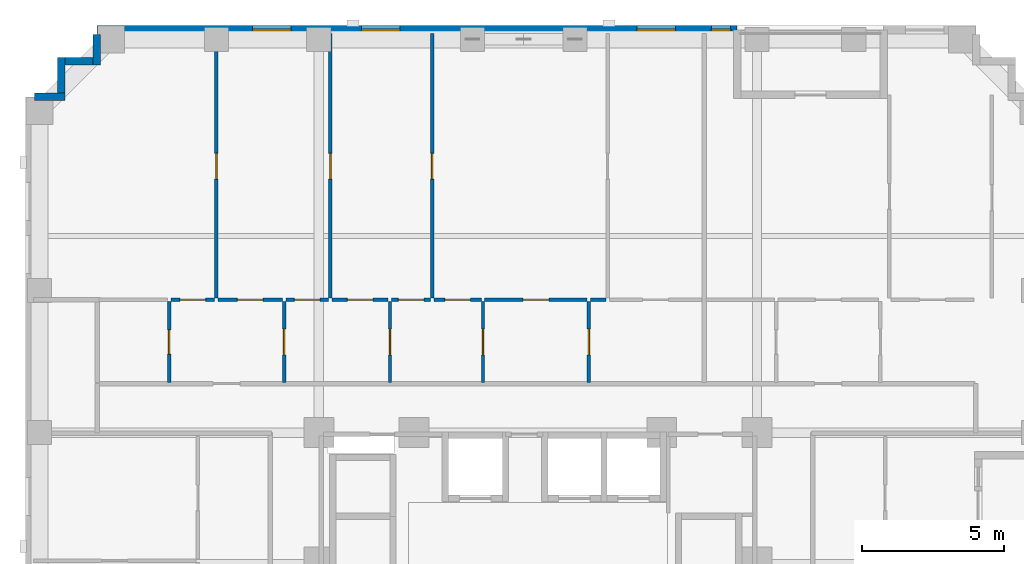
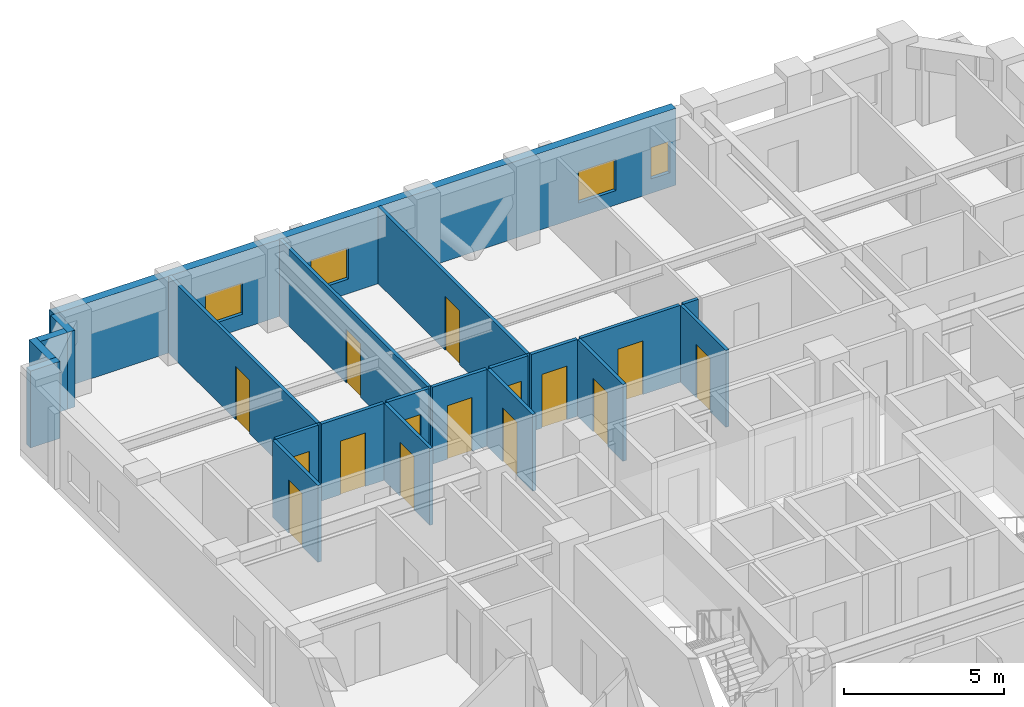
# One storey, part 7 of 12: 21 walls, 15 doors, 4 windows, 19 openings.
"""IFC4 building model written with IfcOpenShell, lengths in metres."""

from ifc_helpers import new_model, si_unit, derived_unit, direction, frame, frame_2d, origin, place, context, subcontext, project, spatial, rectangle, extrude, material, layer, layer_set, type_object, element, fill, save


model = new_model("IFC4")

# Units and contexts
model_context = context("Model", 3, precision=1e-05, world=origin(), true_north=direction((0.0, 1.0)))
body_context = subcontext(model_context, "Body", "Model", "MODEL_VIEW")
ifc_project = project(units=[si_unit("LENGTHUNIT", "METRE"), si_unit("AREAUNIT", "SQUARE_METRE"), si_unit("VOLUMEUNIT", "CUBIC_METRE"), si_unit("PLANEANGLEUNIT", "RADIAN"), si_unit("MASSUNIT", "GRAM", prefix="KILO"), derived_unit("THERMALTRANSMITTANCEUNIT", [(si_unit("MASSUNIT", "GRAM", prefix="KILO"), 1), (si_unit("TIMEUNIT", "SECOND"), -3), (si_unit("THERMODYNAMICTEMPERATUREUNIT", "KELVIN"), -1)])], contexts=[model_context])

# Site, building, storey
site_placement = place(None, origin())
site = spatial("IfcSite", under=ifc_project, at=site_placement, CompositionType="ELEMENT")
building_placement = place(site_placement, origin())
building = spatial("IfcBuilding", under=site, at=building_placement, Name="Korrvale Station Residences", CompositionType="ELEMENT")
storey_placement = place(building_placement, frame((0.0, 0.0, 84.699951171875)))
storey = spatial("IfcBuildingStorey", under=building, at=storey_placement, Name="L23", CompositionType="ELEMENT", Elevation=84.699951171875)

# Walls
ifc_material_1 = material(Name="Precast concrete C45/55", Category="concrete")
ifc_layer_1 = layer(ifc_material_1, 0.260009765625, Name="Precast concrete C45/55")
ifc_layer_set_1 = layer_set([ifc_layer_1], Name="Precast concrete C45/55")
wall_type_1 = type_object("IfcWallType", Name="WAL-EXT-LOG260", PredefinedType="SOLIDWALL", material=ifc_layer_set_1)
wall_1_placement = place(storey_placement, frame((7.802001953125, 40.800048828125, 0.0), z_axis=(0.0, 0.0, 1.0), x_axis=(1.0, 0.0, 0.0)))
element("IfcWall", 1, at=wall_1_placement, inside=storey, type_object=wall_type_1, Name="L23 Serrated Corner Precast Step NW-1", PredefinedType="SOLIDWALL", context=body_context, shape_type="SweptSolid", body=[
    extrude(rectangle(XDim=1.077880859375, YDim=0.260009765625, at=frame_2d((0.5390625, 0.0))), origin(), (0.0, 0.0, 1.0), 2.93994140625),
])
wall_2_placement = place(storey_placement, frame((8.75, 40.931884765625, 0.0), z_axis=(0.0, 0.0, 1.0), x_axis=(0.0, 1.0, 0.0)))
element("IfcWall", 2, at=wall_2_placement, inside=storey, type_object=wall_type_1, Name="L23 Serrated Corner Precast Step NW-2", PredefinedType="SOLIDWALL", context=body_context, shape_type="SweptSolid", body=[
    extrude(rectangle(XDim=1.248046875, YDim=0.260009765625, at=frame_2d((0.6240234375, 0.0))), origin(), (0.0, 0.0, 1.0), 2.93994140625),
])
wall_3_placement = place(storey_placement, frame((8.882080078125, 42.050048828125, 0.0), z_axis=(0.0, 0.0, 1.0), x_axis=(1.0, 0.0, 0.0)))
element("IfcWall", 3, at=wall_3_placement, inside=storey, type_object=wall_type_1, Name="L23 Serrated Corner Precast Step NW-3", PredefinedType="SOLIDWALL", context=body_context, shape_type="SweptSolid", body=[
    extrude(rectangle(XDim=0.98583984375, YDim=0.260009765625, at=frame_2d((0.492919921875, 0.0))), origin(), (0.0, 0.0, 1.0), 2.93994140625),
])
wall_4_placement = place(storey_placement, frame((10.0, 41.919921875, 0.0), z_axis=(0.0, 0.0, 1.0), x_axis=(0.0, 1.0, 0.0)))
element("IfcWall", 4, at=wall_4_placement, inside=storey, type_object=wall_type_1, Name="L23 Serrated Corner Precast Step NW-4", PredefinedType="SOLIDWALL", context=body_context, shape_type="SweptSolid", body=[
    extrude(rectangle(XDim=1.078125, YDim=0.260009765625, at=frame_2d((0.5390625, 0.0))), origin(), (0.0, 0.0, 1.0), 2.93994140625),
])

# Wall, openings, windows
ifc_layer_2 = layer(ifc_material_1, 0.300048828125, Name="Precast concrete C45/55")
ifc_layer_set_2 = layer_set([ifc_layer_2], Name="Precast concrete C45/55")
wall_type_2 = type_object("IfcWallType", Name="WAL-EXT-PC300", PredefinedType="SOLIDWALL", material=ifc_layer_set_2)
wall_5_placement = place(storey_placement, frame((10.0, 43.14990234375, 0.0), z_axis=(0.0, 0.0, 1.0), x_axis=(1.0, 0.0, 0.0)))
wall_5 = element("IfcWall", 5, at=wall_5_placement, inside=storey, type_object=wall_type_2, Name="L23 North Exterior Precast Wall 1", PredefinedType="SOLIDWALL", context=body_context, shape_type="SweptSolid", body=[
    extrude(rectangle(XDim=22.5, YDim=0.300048828125, at=frame_2d((11.25, 0.0))), origin(), (0.0, 0.0, 1.0), 2.93994140625),
])
opening_1_placement = place(wall_5_placement, frame((5.47509765625, 0.0, 0.550048828125)))
opening_1 = element("IfcOpeningElement", 6, at=opening_1_placement, cuts=wall_5, Name="Opening W-10", PredefinedType="OPENING", context=body_context, shape_type="SweptSolid", body=[
    extrude(rectangle(XDim=1.35009765625, YDim=1.199951171875, at=frame_2d((0.675048828125, 0.60009765625))), frame((0.0, 0.16015625, 0.0), z_axis=(0.0, -1.0, 0.0), x_axis=(1.0, 0.0, 0.0)), (0.0, 0.0, 1.0), 0.320068359375),
])
opening_2_placement = place(wall_5_placement, frame((9.300048828125, 0.0, 0.550048828125)))
opening_2 = element("IfcOpeningElement", 7, at=opening_2_placement, cuts=wall_5, Name="Opening W-10", PredefinedType="OPENING", context=body_context, shape_type="SweptSolid", body=[
    extrude(rectangle(XDim=1.35009765625, YDim=1.199951171875, at=frame_2d((0.675048828125, 0.60009765625))), frame((0.0, 0.16015625, 0.0), z_axis=(0.0, -1.0, 0.0), x_axis=(1.0, 0.0, 0.0)), (0.0, 0.0, 1.0), 0.320068359375),
])
opening_3_placement = place(wall_5_placement, frame((18.97509765625, 0.0, 0.550048828125)))
opening_3 = element("IfcOpeningElement", 8, at=opening_3_placement, cuts=wall_5, Name="Opening W-10", PredefinedType="OPENING", context=body_context, shape_type="SweptSolid", body=[
    extrude(rectangle(XDim=1.35009765625, YDim=1.199951171875, at=frame_2d((0.675048828125, 0.60009765625))), frame((0.0, 0.16015625, 0.0), z_axis=(0.0, -1.0, 0.0), x_axis=(1.0, 0.0, 0.0)), (0.0, 0.0, 1.0), 0.320068359375),
])
opening_4_placement = place(wall_5_placement, frame((21.590087890625, 0.0, 0.550048828125)))
opening_4 = element("IfcOpeningElement", 9, at=opening_4_placement, cuts=wall_5, Name="Opening W-12", PredefinedType="OPENING", context=body_context, shape_type="SweptSolid", body=[
    extrude(rectangle(XDim=0.679931640625, YDim=1.199951171875, at=frame_2d((0.33984375, 0.60009765625))), frame((0.0, 0.16015625, 0.0), z_axis=(0.0, -1.0, 0.0), x_axis=(1.0, 0.0, 0.0)), (0.0, 0.0, 1.0), 0.320068359375),
])
ifc_material_2 = material(Name="Thermally broken aluminium frame with triple low-e glazing", Category="aluminium")
window_type_1 = type_object("IfcWindowType", Name="WIN-W10", PartitioningType="SINGLE_PANEL", PredefinedType="WINDOW", material=ifc_material_2)
window_1_placement = place(opening_1_placement, origin())
window_1 = element("IfcWindow", 10, at=window_1_placement, inside=storey, type_object=window_type_1, Name="L23 Punched Window 14", OverallHeight=1.199951171875, OverallWidth=1.35009765625, PartitioningType="SINGLE_PANEL", PredefinedType="WINDOW", context=body_context, shape_type="SweptSolid", body=[
    extrude(rectangle(XDim=1.35009765625, YDim=1.199951171875, at=frame_2d((0.675048828125, 0.60009765625))), frame((0.0, 0.030029296875, 0.0), z_axis=(0.0, -1.0, 0.0), x_axis=(1.0, 0.0, 0.0)), (0.0, 0.0, 1.0), 0.06005859375),
])
fill(opening_1, window_1)
window_2_placement = place(opening_2_placement, origin())
window_2 = element("IfcWindow", 11, at=window_2_placement, inside=storey, type_object=window_type_1, Name="L23 Punched Window 15", OverallHeight=1.199951171875, OverallWidth=1.35009765625, PartitioningType="SINGLE_PANEL", PredefinedType="WINDOW", context=body_context, shape_type="SweptSolid", body=[
    extrude(rectangle(XDim=1.35009765625, YDim=1.199951171875, at=frame_2d((0.675048828125, 0.60009765625))), frame((0.0, 0.030029296875, 0.0), z_axis=(0.0, -1.0, 0.0), x_axis=(1.0, 0.0, 0.0)), (0.0, 0.0, 1.0), 0.06005859375),
])
fill(opening_2, window_2)
window_3_placement = place(opening_3_placement, origin())
window_3 = element("IfcWindow", 12, at=window_3_placement, inside=storey, type_object=window_type_1, Name="L23 Punched Window 16", OverallHeight=1.199951171875, OverallWidth=1.35009765625, PartitioningType="SINGLE_PANEL", PredefinedType="WINDOW", context=body_context, shape_type="SweptSolid", body=[
    extrude(rectangle(XDim=1.35009765625, YDim=1.199951171875, at=frame_2d((0.675048828125, 0.60009765625))), frame((0.0, 0.030029296875, 0.0), z_axis=(0.0, -1.0, 0.0), x_axis=(1.0, 0.0, 0.0)), (0.0, 0.0, 1.0), 0.06005859375),
])
fill(opening_3, window_3)
window_type_2 = type_object("IfcWindowType", Name="WIN-W12", PartitioningType="SINGLE_PANEL", PredefinedType="WINDOW", material=ifc_material_2)
window_4_placement = place(opening_4_placement, origin())
window_4 = element("IfcWindow", 13, at=window_4_placement, inside=storey, type_object=window_type_2, Name="L23 Punched Window 17", OverallHeight=1.199951171875, OverallWidth=0.679931640625, PartitioningType="SINGLE_PANEL", PredefinedType="WINDOW", context=body_context, shape_type="SweptSolid", body=[
    extrude(rectangle(XDim=0.679931640625, YDim=1.199951171875, at=frame_2d((0.33984375, 0.60009765625))), frame((0.0, 0.030029296875, 0.0), z_axis=(0.0, -1.0, 0.0), x_axis=(1.0, 0.0, 0.0)), (0.0, 0.0, 1.0), 0.06005859375),
])
fill(opening_4, window_4)

# Wall, opening, door
ifc_material_3 = material(Name="Acoustic steel-stud gypsum board partition", Category="steel")
ifc_layer_3 = layer(ifc_material_3, 0.1201171875, Name="Acoustic steel-stud gypsum board partition")
ifc_layer_set_3 = layer_set([ifc_layer_3], Name="Acoustic steel-stud gypsum board partition")
wall_type_3 = type_object("IfcWallType", Name="WAL-PART-125", PredefinedType="PARTITIONING", material=ifc_layer_set_3)
wall_6_placement = place(storey_placement, frame((12.5400390625, 30.760009765625, 0.0), z_axis=(0.0, 0.0, 1.0), x_axis=(0.0, 1.0, 0.0)))
wall_6 = element("IfcWall", 14, at=wall_6_placement, inside=storey, type_object=wall_type_3, Name="L23 Suite Partition U03-V01", PredefinedType="PARTITIONING", context=body_context, shape_type="SweptSolid", body=[
    extrude(rectangle(XDim=2.85009765625, YDim=0.1201171875, at=frame_2d((1.425048828125, 0.0))), origin(), (0.0, 0.0, 1.0), 2.93994140625),
])
opening_5_placement = place(wall_6_placement, frame((0.9951171875, 0.0, 0.0)))
opening_5 = element("IfcOpeningElement", 15, at=opening_5_placement, cuts=wall_6, Name="Opening DB-860", PredefinedType="OPENING", context=body_context, shape_type="SweptSolid", body=[
    extrude(rectangle(XDim=0.860107421875, YDim=2.050048828125, at=frame_2d((0.43017578125, 1.02490234375))), frame((0.0, 0.070068359375, 0.0), z_axis=(0.0, -1.0, 0.0), x_axis=(1.0, 0.0, 0.0)), (0.0, 0.0, 1.0), 0.14013671875),
])
ifc_material_4 = material(Name="Moisture-resistant solid-core bathroom door", Category="timber")
door_type_1 = type_object("IfcDoorType", Name="DR-BATH-860", OperationType="NOTDEFINED", PredefinedType="DOOR", material=ifc_material_4)
door_1_placement = place(opening_5_placement, origin())
door_1 = element("IfcDoor", 16, at=door_1_placement, inside=storey, type_object=door_type_1, Name="L23 Apartment 1BR L23-U03 Bathroom Door", OperationType="SINGLE_SWING_RIGHT", OverallHeight=2.050048828125, OverallWidth=0.860107421875, PredefinedType="DOOR", context=body_context, shape_type="SweptSolid", body=[
    extrude(rectangle(XDim=0.860107421875, YDim=2.050048828125, at=frame_2d((0.43017578125, 1.02490234375))), frame((0.0, 0.02490234375, 0.0), z_axis=(0.0, -1.0, 0.0), x_axis=(1.0, 0.0, 0.0)), (0.0, 0.0, 1.0), 0.050048828125),
])
fill(opening_5, door_1)

wall_7_placement = place(storey_placement, frame((16.580078125, 30.760009765625, 0.0), z_axis=(0.0, 0.0, 1.0), x_axis=(0.0, 1.0, 0.0)))
wall_7 = element("IfcWall", 17, at=wall_7_placement, inside=storey, type_object=wall_type_3, Name="L23 Suite Partition U03-V12", PredefinedType="PARTITIONING", context=body_context, shape_type="SweptSolid", body=[
    extrude(rectangle(XDim=2.85009765625, YDim=0.1201171875, at=frame_2d((1.425048828125, 0.0))), origin(), (0.0, 0.0, 1.0), 2.93994140625),
])
opening_6_placement = place(wall_7_placement, frame((0.97509765625, 0.0, 0.0)))
opening_6 = element("IfcOpeningElement", 18, at=opening_6_placement, cuts=wall_7, Name="Opening DI-900", PredefinedType="OPENING", context=body_context, shape_type="SweptSolid", body=[
    extrude(rectangle(XDim=0.89990234375, YDim=2.050048828125, at=frame_2d((0.449951171875, 1.02490234375))), frame((0.0, 0.070068359375, 0.0), z_axis=(0.0, -1.0, 0.0), x_axis=(1.0, 0.0, 0.0)), (0.0, 0.0, 1.0), 0.14013671875),
])
ifc_material_5 = material(Name="Painted solid-core timber interior room door", Category="wood")
door_type_2 = type_object("IfcDoorType", Name="DR-INT-900", OperationType="NOTDEFINED", PredefinedType="DOOR", material=ifc_material_5)
door_2_placement = place(opening_6_placement, origin())
door_2 = element("IfcDoor", 19, at=door_2_placement, inside=storey, type_object=door_type_2, Name="L23 Apartment 1BR L23-U03 Kitchen Door", OperationType="SINGLE_SWING_LEFT", OverallHeight=2.050048828125, OverallWidth=0.89990234375, PredefinedType="DOOR", context=body_context, shape_type="SweptSolid", body=[
    extrude(rectangle(XDim=0.89990234375, YDim=2.050048828125, at=frame_2d((0.449951171875, 1.02490234375))), frame((0.0, 0.02490234375, 0.0), z_axis=(0.0, -1.0, 0.0), x_axis=(1.0, 0.0, 0.0)), (0.0, 0.0, 1.0), 0.050048828125),
])
fill(opening_6, door_2)

wall_8_placement = place(storey_placement, frame((12.60009765625, 33.669921875, 0.0), z_axis=(0.0, 0.0, 1.0), x_axis=(1.0, 0.0, 0.0)))
wall_8 = element("IfcWall", 20, at=wall_8_placement, inside=storey, type_object=wall_type_3, Name="L23 Suite Partition U03-H16", PredefinedType="PARTITIONING", context=body_context, shape_type="SweptSolid", body=[
    extrude(rectangle(XDim=1.539794921875, YDim=0.1201171875, at=frame_2d((0.77001953125, 0.0))), origin(), (0.0, 0.0, 1.0), 2.93994140625),
])
opening_7_placement = place(wall_8_placement, frame((0.320068359375, 0.0, 0.0)))
opening_7 = element("IfcOpeningElement", 21, at=opening_7_placement, cuts=wall_8, Name="Opening DI-900", PredefinedType="OPENING", context=body_context, shape_type="SweptSolid", body=[
    extrude(rectangle(XDim=0.89990234375, YDim=2.050048828125, at=frame_2d((0.449951171875, 1.02490234375))), frame((0.0, 0.070068359375, 0.0), z_axis=(0.0, -1.0, 0.0), x_axis=(1.0, 0.0, 0.0)), (0.0, 0.0, 1.0), 0.14013671875),
])
door_3_placement = place(opening_7_placement, origin())
door_3 = element("IfcDoor", 22, at=door_3_placement, inside=storey, type_object=door_type_2, Name="L23 Apartment 1BR L23-U03 Kitchen Door", OperationType="SINGLE_SWING_RIGHT", OverallHeight=2.050048828125, OverallWidth=0.89990234375, PredefinedType="DOOR", context=body_context, shape_type="SweptSolid", body=[
    extrude(rectangle(XDim=0.89990234375, YDim=2.050048828125, at=frame_2d((0.449951171875, 1.02490234375))), frame((0.0, 0.02490234375, 0.0), z_axis=(0.0, -1.0, 0.0), x_axis=(1.0, 0.0, 0.0)), (0.0, 0.0, 1.0), 0.050048828125),
])
fill(opening_7, door_3)

wall_9_placement = place(storey_placement, frame((14.260009765625, 33.669921875, 0.0), z_axis=(0.0, 0.0, 1.0), x_axis=(1.0, 0.0, 0.0)))
wall_9 = element("IfcWall", 23, at=wall_9_placement, inside=storey, type_object=wall_type_3, Name="L23 Suite Partition U03-H17", PredefinedType="PARTITIONING", context=body_context, shape_type="SweptSolid", body=[
    extrude(rectangle(XDim=2.260009765625, YDim=0.1201171875, at=frame_2d((1.1298828125, 0.0))), origin(), (0.0, 0.0, 1.0), 2.93994140625),
])
opening_8_placement = place(wall_9_placement, frame((0.679931640625, 0.0, 0.0)))
opening_8 = element("IfcOpeningElement", 24, at=opening_8_placement, cuts=wall_9, Name="Opening DI-900", PredefinedType="OPENING", context=body_context, shape_type="SweptSolid", body=[
    extrude(rectangle(XDim=0.89990234375, YDim=2.050048828125, at=frame_2d((0.449951171875, 1.02490234375))), frame((0.0, 0.070068359375, 0.0), z_axis=(0.0, -1.0, 0.0), x_axis=(1.0, 0.0, 0.0)), (0.0, 0.0, 1.0), 0.14013671875),
])
door_4_placement = place(opening_8_placement, origin())
door_4 = element("IfcDoor", 25, at=door_4_placement, inside=storey, type_object=door_type_2, Name="L23 Apartment 1BR L23-U03 Kitchen Door", OperationType="SINGLE_SWING_LEFT", OverallHeight=2.050048828125, OverallWidth=0.89990234375, PredefinedType="DOOR", context=body_context, shape_type="SweptSolid", body=[
    extrude(rectangle(XDim=0.89990234375, YDim=2.050048828125, at=frame_2d((0.449951171875, 1.02490234375))), frame((0.0, 0.02490234375, 0.0), z_axis=(0.0, -1.0, 0.0), x_axis=(1.0, 0.0, 0.0)), (0.0, 0.0, 1.0), 0.050048828125),
])
fill(opening_8, door_4)

wall_10_placement = place(storey_placement, frame((20.300048828125, 30.760009765625, 0.0), z_axis=(0.0, 0.0, 1.0), x_axis=(0.0, 1.0, 0.0)))
wall_10 = element("IfcWall", 26, at=wall_10_placement, inside=storey, type_object=wall_type_3, Name="L23 Suite Partition U03-V23", PredefinedType="PARTITIONING", context=body_context, shape_type="SweptSolid", body=[
    extrude(rectangle(XDim=2.85009765625, YDim=0.1201171875, at=frame_2d((1.425048828125, 0.0))), origin(), (0.0, 0.0, 1.0), 2.93994140625),
])
opening_9_placement = place(wall_10_placement, frame((0.97509765625, 0.0, 0.0)))
opening_9 = element("IfcOpeningElement", 27, at=opening_9_placement, cuts=wall_10, Name="Opening DI-900", PredefinedType="OPENING", context=body_context, shape_type="SweptSolid", body=[
    extrude(rectangle(XDim=0.89990234375, YDim=2.050048828125, at=frame_2d((0.449951171875, 1.02490234375))), frame((0.0, 0.070068359375, 0.0), z_axis=(0.0, -1.0, 0.0), x_axis=(1.0, 0.0, 0.0)), (0.0, 0.0, 1.0), 0.14013671875),
])
door_5_placement = place(opening_9_placement, origin())
door_5 = element("IfcDoor", 28, at=door_5_placement, inside=storey, type_object=door_type_2, Name="L23 Apartment 1BR L23-U03 Utility and Laundry Room Door", OperationType="SINGLE_SWING_RIGHT", OverallHeight=2.050048828125, OverallWidth=0.89990234375, PredefinedType="DOOR", context=body_context, shape_type="SweptSolid", body=[
    extrude(rectangle(XDim=0.89990234375, YDim=2.050048828125, at=frame_2d((0.449951171875, 1.02490234375))), frame((0.0, 0.02490234375, 0.0), z_axis=(0.0, -1.0, 0.0), x_axis=(1.0, 0.0, 0.0)), (0.0, 0.0, 1.0), 0.050048828125),
])
fill(opening_9, door_5)

wall_11_placement = place(storey_placement, frame((16.639892578125, 33.669921875, 0.0), z_axis=(0.0, 0.0, 1.0), x_axis=(1.0, 0.0, 0.0)))
wall_11 = element("IfcWall", 29, at=wall_11_placement, inside=storey, type_object=wall_type_3, Name="L23 Suite Partition U03-H27", PredefinedType="PARTITIONING", context=body_context, shape_type="SweptSolid", body=[
    extrude(rectangle(XDim=1.508056640625, YDim=0.1201171875, at=frame_2d((0.75390625, 0.0))), origin(), (0.0, 0.0, 1.0), 2.93994140625),
])
opening_10_placement = place(wall_11_placement, frame((0.303955078125, 0.0, 0.0)))
opening_10 = element("IfcOpeningElement", 30, at=opening_10_placement, cuts=wall_11, Name="Opening DI-900", PredefinedType="OPENING", context=body_context, shape_type="SweptSolid", body=[
    extrude(rectangle(XDim=0.89990234375, YDim=2.050048828125, at=frame_2d((0.449951171875, 1.02490234375))), frame((0.0, 0.070068359375, 0.0), z_axis=(0.0, -1.0, 0.0), x_axis=(1.0, 0.0, 0.0)), (0.0, 0.0, 1.0), 0.14013671875),
])
door_6_placement = place(opening_10_placement, origin())
door_6 = element("IfcDoor", 31, at=door_6_placement, inside=storey, type_object=door_type_2, Name="L23 Apartment 1BR L23-U03 Utility and Laundry Room Door", OperationType="SINGLE_SWING_LEFT", OverallHeight=2.050048828125, OverallWidth=0.89990234375, PredefinedType="DOOR", context=body_context, shape_type="SweptSolid", body=[
    extrude(rectangle(XDim=0.89990234375, YDim=2.050048828125, at=frame_2d((0.449951171875, 1.02490234375))), frame((0.0, 0.02490234375, 0.0), z_axis=(0.0, -1.0, 0.0), x_axis=(1.0, 0.0, 0.0)), (0.0, 0.0, 1.0), 0.050048828125),
])
fill(opening_10, door_6)

wall_12_placement = place(storey_placement, frame((18.26806640625, 33.669921875, 0.0), z_axis=(0.0, 0.0, 1.0), x_axis=(1.0, 0.0, 0.0)))
wall_12 = element("IfcWall", 32, at=wall_12_placement, inside=storey, type_object=wall_type_3, Name="L23 Suite Partition U03-H28", PredefinedType="PARTITIONING", context=body_context, shape_type="SweptSolid", body=[
    extrude(rectangle(XDim=1.971923828125, YDim=0.1201171875, at=frame_2d((0.98583984375, 0.0))), origin(), (0.0, 0.0, 1.0), 2.93994140625),
])
opening_11_placement = place(wall_12_placement, frame((0.535888671875, 0.0, 0.0)))
opening_11 = element("IfcOpeningElement", 33, at=opening_11_placement, cuts=wall_12, Name="Opening DI-900", PredefinedType="OPENING", context=body_context, shape_type="SweptSolid", body=[
    extrude(rectangle(XDim=0.89990234375, YDim=2.050048828125, at=frame_2d((0.449951171875, 1.02490234375))), frame((0.0, 0.070068359375, 0.0), z_axis=(0.0, -1.0, 0.0), x_axis=(1.0, 0.0, 0.0)), (0.0, 0.0, 1.0), 0.14013671875),
])
door_7_placement = place(opening_11_placement, origin())
door_7 = element("IfcDoor", 34, at=door_7_placement, inside=storey, type_object=door_type_2, Name="L23 Apartment 1BR L23-U03 Utility and Laundry Room Door", OperationType="SINGLE_SWING_RIGHT", OverallHeight=2.050048828125, OverallWidth=0.89990234375, PredefinedType="DOOR", context=body_context, shape_type="SweptSolid", body=[
    extrude(rectangle(XDim=0.89990234375, YDim=2.050048828125, at=frame_2d((0.449951171875, 1.02490234375))), frame((0.0, 0.02490234375, 0.0), z_axis=(0.0, -1.0, 0.0), x_axis=(1.0, 0.0, 0.0)), (0.0, 0.0, 1.0), 0.050048828125),
])
fill(opening_11, door_7)

wall_13_placement = place(storey_placement, frame((23.570068359375, 30.760009765625, 0.0), z_axis=(0.0, 0.0, 1.0), x_axis=(0.0, 1.0, 0.0)))
wall_13 = element("IfcWall", 35, at=wall_13_placement, inside=storey, type_object=wall_type_3, Name="L23 Suite Partition U03-V34", PredefinedType="PARTITIONING", context=body_context, shape_type="SweptSolid", body=[
    extrude(rectangle(XDim=2.85009765625, YDim=0.1201171875, at=frame_2d((1.425048828125, 0.0))), origin(), (0.0, 0.0, 1.0), 2.93994140625),
])
opening_12_placement = place(wall_13_placement, frame((0.97509765625, 0.0, 0.0)))
opening_12 = element("IfcOpeningElement", 36, at=opening_12_placement, cuts=wall_13, Name="Opening DI-900", PredefinedType="OPENING", context=body_context, shape_type="SweptSolid", body=[
    extrude(rectangle(XDim=0.89990234375, YDim=2.050048828125, at=frame_2d((0.449951171875, 1.02490234375))), frame((0.0, 0.070068359375, 0.0), z_axis=(0.0, -1.0, 0.0), x_axis=(1.0, 0.0, 0.0)), (0.0, 0.0, 1.0), 0.14013671875),
])
door_8_placement = place(opening_12_placement, origin())
door_8 = element("IfcDoor", 37, at=door_8_placement, inside=storey, type_object=door_type_2, Name="L23 Apartment 1BR L23-U03 Storage Closet 2 Door", OperationType="SINGLE_SWING_LEFT", OverallHeight=2.050048828125, OverallWidth=0.89990234375, PredefinedType="DOOR", context=body_context, shape_type="SweptSolid", body=[
    extrude(rectangle(XDim=0.89990234375, YDim=2.050048828125, at=frame_2d((0.449951171875, 1.02490234375))), frame((0.0, 0.02490234375, 0.0), z_axis=(0.0, -1.0, 0.0), x_axis=(1.0, 0.0, 0.0)), (0.0, 0.0, 1.0), 0.050048828125),
])
fill(opening_12, door_8)

wall_14_placement = place(storey_placement, frame((20.360107421875, 33.669921875, 0.0), z_axis=(0.0, 0.0, 1.0), x_axis=(1.0, 0.0, 0.0)))
wall_14 = element("IfcWall", 38, at=wall_14_placement, inside=storey, type_object=wall_type_3, Name="L23 Suite Partition U03-H38", PredefinedType="PARTITIONING", context=body_context, shape_type="SweptSolid", body=[
    extrude(rectangle(XDim=1.364013671875, YDim=0.1201171875, at=frame_2d((0.68212890625, 0.0))), origin(), (0.0, 0.0, 1.0), 2.93994140625),
])
opening_13_placement = place(wall_14_placement, frame((0.23193359375, 0.0, 0.0)))
opening_13 = element("IfcOpeningElement", 39, at=opening_13_placement, cuts=wall_14, Name="Opening DI-900", PredefinedType="OPENING", context=body_context, shape_type="SweptSolid", body=[
    extrude(rectangle(XDim=0.89990234375, YDim=2.050048828125, at=frame_2d((0.449951171875, 1.02490234375))), frame((0.0, 0.070068359375, 0.0), z_axis=(0.0, -1.0, 0.0), x_axis=(1.0, 0.0, 0.0)), (0.0, 0.0, 1.0), 0.14013671875),
])
door_9_placement = place(opening_13_placement, origin())
door_9 = element("IfcDoor", 40, at=door_9_placement, inside=storey, type_object=door_type_2, Name="L23 Apartment 1BR L23-U03 Storage Closet 2 Door", OperationType="SINGLE_SWING_RIGHT", OverallHeight=2.050048828125, OverallWidth=0.89990234375, PredefinedType="DOOR", context=body_context, shape_type="SweptSolid", body=[
    extrude(rectangle(XDim=0.89990234375, YDim=2.050048828125, at=frame_2d((0.449951171875, 1.02490234375))), frame((0.0, 0.02490234375, 0.0), z_axis=(0.0, -1.0, 0.0), x_axis=(1.0, 0.0, 0.0)), (0.0, 0.0, 1.0), 0.050048828125),
])
fill(opening_13, door_9)

wall_15_placement = place(storey_placement, frame((21.843994140625, 33.669921875, 0.0), z_axis=(0.0, 0.0, 1.0), x_axis=(1.0, 0.0, 0.0)))
wall_15 = element("IfcWall", 41, at=wall_15_placement, inside=storey, type_object=wall_type_3, Name="L23 Suite Partition U03-H39", PredefinedType="PARTITIONING", context=body_context, shape_type="SweptSolid", body=[
    extrude(rectangle(XDim=1.666015625, YDim=0.1201171875, at=frame_2d((0.8330078125, 0.0))), origin(), (0.0, 0.0, 1.0), 2.93994140625),
])
opening_14_placement = place(wall_15_placement, frame((0.383056640625, 0.0, 0.0)))
opening_14 = element("IfcOpeningElement", 42, at=opening_14_placement, cuts=wall_15, Name="Opening DI-900", PredefinedType="OPENING", context=body_context, shape_type="SweptSolid", body=[
    extrude(rectangle(XDim=0.89990234375, YDim=2.050048828125, at=frame_2d((0.449951171875, 1.02490234375))), frame((0.0, 0.070068359375, 0.0), z_axis=(0.0, -1.0, 0.0), x_axis=(1.0, 0.0, 0.0)), (0.0, 0.0, 1.0), 0.14013671875),
])
door_10_placement = place(opening_14_placement, origin())
door_10 = element("IfcDoor", 43, at=door_10_placement, inside=storey, type_object=door_type_2, Name="L23 Apartment 1BR L23-U03 Storage Closet 2 Door", OperationType="SINGLE_SWING_LEFT", OverallHeight=2.050048828125, OverallWidth=0.89990234375, PredefinedType="DOOR", context=body_context, shape_type="SweptSolid", body=[
    extrude(rectangle(XDim=0.89990234375, YDim=2.050048828125, at=frame_2d((0.449951171875, 1.02490234375))), frame((0.0, 0.02490234375, 0.0), z_axis=(0.0, -1.0, 0.0), x_axis=(1.0, 0.0, 0.0)), (0.0, 0.0, 1.0), 0.050048828125),
])
fill(opening_14, door_10)

wall_16_placement = place(storey_placement, frame((27.2900390625, 30.760009765625, 0.0), z_axis=(0.0, 0.0, 1.0), x_axis=(0.0, 1.0, 0.0)))
wall_16 = element("IfcWall", 44, at=wall_16_placement, inside=storey, type_object=wall_type_3, Name="L23 Suite Partition U03-V45", PredefinedType="PARTITIONING", context=body_context, shape_type="SweptSolid", body=[
    extrude(rectangle(XDim=2.85009765625, YDim=0.1201171875, at=frame_2d((1.425048828125, 0.0))), origin(), (0.0, 0.0, 1.0), 2.93994140625),
])
opening_15_placement = place(wall_16_placement, frame((0.97509765625, 0.0, 0.0)))
opening_15 = element("IfcOpeningElement", 45, at=opening_15_placement, cuts=wall_16, Name="Opening DI-900", PredefinedType="OPENING", context=body_context, shape_type="SweptSolid", body=[
    extrude(rectangle(XDim=0.89990234375, YDim=2.050048828125, at=frame_2d((0.449951171875, 1.02490234375))), frame((0.0, 0.070068359375, 0.0), z_axis=(0.0, -1.0, 0.0), x_axis=(1.0, 0.0, 0.0)), (0.0, 0.0, 1.0), 0.14013671875),
])
door_11_placement = place(opening_15_placement, origin())
door_11 = element("IfcDoor", 46, at=door_11_placement, inside=storey, type_object=door_type_2, Name="L23 Apartment 1BR L23-U03 Storage Closet 3 Door", OperationType="SINGLE_SWING_RIGHT", OverallHeight=2.050048828125, OverallWidth=0.89990234375, PredefinedType="DOOR", context=body_context, shape_type="SweptSolid", body=[
    extrude(rectangle(XDim=0.89990234375, YDim=2.050048828125, at=frame_2d((0.449951171875, 1.02490234375))), frame((0.0, 0.02490234375, 0.0), z_axis=(0.0, -1.0, 0.0), x_axis=(1.0, 0.0, 0.0)), (0.0, 0.0, 1.0), 0.050048828125),
])
fill(opening_15, door_11)

wall_17_placement = place(storey_placement, frame((23.6298828125, 33.669921875, 0.0), z_axis=(0.0, 0.0, 1.0), x_axis=(1.0, 0.0, 0.0)))
wall_17 = element("IfcWall", 47, at=wall_17_placement, inside=storey, type_object=wall_type_3, Name="L23 Suite Partition U03-H49", PredefinedType="PARTITIONING", context=body_context, shape_type="SweptSolid", body=[
    extrude(rectangle(XDim=3.60009765625, YDim=0.1201171875, at=frame_2d((1.800048828125, 0.0))), origin(), (0.0, 0.0, 1.0), 2.93994140625),
])
opening_16_placement = place(wall_17_placement, frame((1.35009765625, 0.0, 0.0)))
opening_16 = element("IfcOpeningElement", 48, at=opening_16_placement, cuts=wall_17, Name="Opening DI-900", PredefinedType="OPENING", context=body_context, shape_type="SweptSolid", body=[
    extrude(rectangle(XDim=0.89990234375, YDim=2.050048828125, at=frame_2d((0.449951171875, 1.02490234375))), frame((0.0, 0.070068359375, 0.0), z_axis=(0.0, -1.0, 0.0), x_axis=(1.0, 0.0, 0.0)), (0.0, 0.0, 1.0), 0.14013671875),
])
door_12_placement = place(opening_16_placement, origin())
door_12 = element("IfcDoor", 49, at=door_12_placement, inside=storey, type_object=door_type_2, Name="L23 Apartment 1BR L23-U03 Storage Closet 3 Door", OperationType="SINGLE_SWING_LEFT", OverallHeight=2.050048828125, OverallWidth=0.89990234375, PredefinedType="DOOR", context=body_context, shape_type="SweptSolid", body=[
    extrude(rectangle(XDim=0.89990234375, YDim=2.050048828125, at=frame_2d((0.449951171875, 1.02490234375))), frame((0.0, 0.02490234375, 0.0), z_axis=(0.0, -1.0, 0.0), x_axis=(1.0, 0.0, 0.0)), (0.0, 0.0, 1.0), 0.050048828125),
])
fill(opening_16, door_12)

# Wall
wall_18_placement = place(storey_placement, frame((27.35009765625, 33.669921875, 0.0), z_axis=(0.0, 0.0, 1.0), x_axis=(1.0, 0.0, 0.0)))
element("IfcWall", 50, at=wall_18_placement, inside=storey, type_object=wall_type_3, Name="L23 Suite Partition U03-H59", PredefinedType="PARTITIONING", context=body_context, shape_type="SweptSolid", body=[
    extrude(rectangle(XDim=0.539794921875, YDim=0.1201171875, at=frame_2d((0.27001953125, 0.0))), origin(), (0.0, 0.0, 1.0), 2.93994140625),
])

# Wall, opening, door
wall_19_placement = place(storey_placement, frame((14.199951171875, 33.72998046875, 0.0), z_axis=(0.0, 0.0, 1.0), x_axis=(0.0, 1.0, 0.0)))
wall_19 = element("IfcWall", 51, at=wall_19_placement, inside=storey, type_object=wall_type_3, Name="L23 Suite Partition U03-V67", PredefinedType="PARTITIONING", context=body_context, shape_type="SweptSolid", body=[
    extrude(rectangle(XDim=9.2900390625, YDim=0.1201171875, at=frame_2d((4.64501953125, 0.0))), origin(), (0.0, 0.0, 1.0), 2.93994140625),
])
opening_17_placement = place(wall_19_placement, frame((4.179931640625, 0.0, 0.0)))
opening_17 = element("IfcOpeningElement", 52, at=opening_17_placement, cuts=wall_19, Name="Opening DI-900", PredefinedType="OPENING", context=body_context, shape_type="SweptSolid", body=[
    extrude(rectangle(XDim=0.89990234375, YDim=2.050048828125, at=frame_2d((0.449951171875, 1.02490234375))), frame((0.0, 0.070068359375, 0.0), z_axis=(0.0, -1.0, 0.0), x_axis=(1.0, 0.0, 0.0)), (0.0, 0.0, 1.0), 0.14013671875),
])
door_13_placement = place(opening_17_placement, origin())
door_13 = element("IfcDoor", 53, at=door_13_placement, inside=storey, type_object=door_type_2, Name="L23 Apartment 1BR L23-U03 Living and Dining Room Door", OperationType="SINGLE_SWING_LEFT", OverallHeight=2.050048828125, OverallWidth=0.89990234375, PredefinedType="DOOR", context=body_context, shape_type="SweptSolid", body=[
    extrude(rectangle(XDim=0.89990234375, YDim=2.050048828125, at=frame_2d((0.449951171875, 1.02490234375))), frame((0.0, 0.02490234375, 0.0), z_axis=(0.0, -1.0, 0.0), x_axis=(1.0, 0.0, 0.0)), (0.0, 0.0, 1.0), 0.050048828125),
])
fill(opening_17, door_13)

wall_20_placement = place(storey_placement, frame((18.2080078125, 33.72998046875, 0.0), z_axis=(0.0, 0.0, 1.0), x_axis=(0.0, 1.0, 0.0)))
wall_20 = element("IfcWall", 54, at=wall_20_placement, inside=storey, type_object=wall_type_3, Name="L23 Suite Partition U03-V78", PredefinedType="PARTITIONING", context=body_context, shape_type="SweptSolid", body=[
    extrude(rectangle(XDim=9.2900390625, YDim=0.1201171875, at=frame_2d((4.64501953125, 0.0))), origin(), (0.0, 0.0, 1.0), 2.93994140625),
])
opening_18_placement = place(wall_20_placement, frame((4.179931640625, 0.0, 0.0)))
opening_18 = element("IfcOpeningElement", 55, at=opening_18_placement, cuts=wall_20, Name="Opening DI-900", PredefinedType="OPENING", context=body_context, shape_type="SweptSolid", body=[
    extrude(rectangle(XDim=0.89990234375, YDim=2.050048828125, at=frame_2d((0.449951171875, 1.02490234375))), frame((0.0, 0.070068359375, 0.0), z_axis=(0.0, -1.0, 0.0), x_axis=(1.0, 0.0, 0.0)), (0.0, 0.0, 1.0), 0.14013671875),
])
door_14_placement = place(opening_18_placement, origin())
door_14 = element("IfcDoor", 56, at=door_14_placement, inside=storey, type_object=door_type_2, Name="L23 Apartment 1BR L23-U03 Formal Dining Room Door", OperationType="SINGLE_SWING_RIGHT", OverallHeight=2.050048828125, OverallWidth=0.89990234375, PredefinedType="DOOR", context=body_context, shape_type="SweptSolid", body=[
    extrude(rectangle(XDim=0.89990234375, YDim=2.050048828125, at=frame_2d((0.449951171875, 1.02490234375))), frame((0.0, 0.02490234375, 0.0), z_axis=(0.0, -1.0, 0.0), x_axis=(1.0, 0.0, 0.0)), (0.0, 0.0, 1.0), 0.050048828125),
])
fill(opening_18, door_14)

wall_21_placement = place(storey_placement, frame((21.783935546875, 33.72998046875, 0.0), z_axis=(0.0, 0.0, 1.0), x_axis=(0.0, 1.0, 0.0)))
wall_21 = element("IfcWall", 57, at=wall_21_placement, inside=storey, type_object=wall_type_3, Name="L23 Suite Partition U03-V89", PredefinedType="PARTITIONING", context=body_context, shape_type="SweptSolid", body=[
    extrude(rectangle(XDim=9.2900390625, YDim=0.1201171875, at=frame_2d((4.64501953125, 0.0))), origin(), (0.0, 0.0, 1.0), 2.93994140625),
])
opening_19_placement = place(wall_21_placement, frame((4.179931640625, 0.0, 0.0)))
opening_19 = element("IfcOpeningElement", 58, at=opening_19_placement, cuts=wall_21, Name="Opening DI-900", PredefinedType="OPENING", context=body_context, shape_type="SweptSolid", body=[
    extrude(rectangle(XDim=0.89990234375, YDim=2.050048828125, at=frame_2d((0.449951171875, 1.02490234375))), frame((0.0, 0.070068359375, 0.0), z_axis=(0.0, -1.0, 0.0), x_axis=(1.0, 0.0, 0.0)), (0.0, 0.0, 1.0), 0.14013671875),
])
door_15_placement = place(opening_19_placement, origin())
door_15 = element("IfcDoor", 59, at=door_15_placement, inside=storey, type_object=door_type_2, Name="L23 Apartment 1BR L23-U03 Home Study Room Door", OperationType="SINGLE_SWING_LEFT", OverallHeight=2.050048828125, OverallWidth=0.89990234375, PredefinedType="DOOR", context=body_context, shape_type="SweptSolid", body=[
    extrude(rectangle(XDim=0.89990234375, YDim=2.050048828125, at=frame_2d((0.449951171875, 1.02490234375))), frame((0.0, 0.02490234375, 0.0), z_axis=(0.0, -1.0, 0.0), x_axis=(1.0, 0.0, 0.0)), (0.0, 0.0, 1.0), 0.050048828125),
])
fill(opening_19, door_15)

save(model, "model.ifc")
